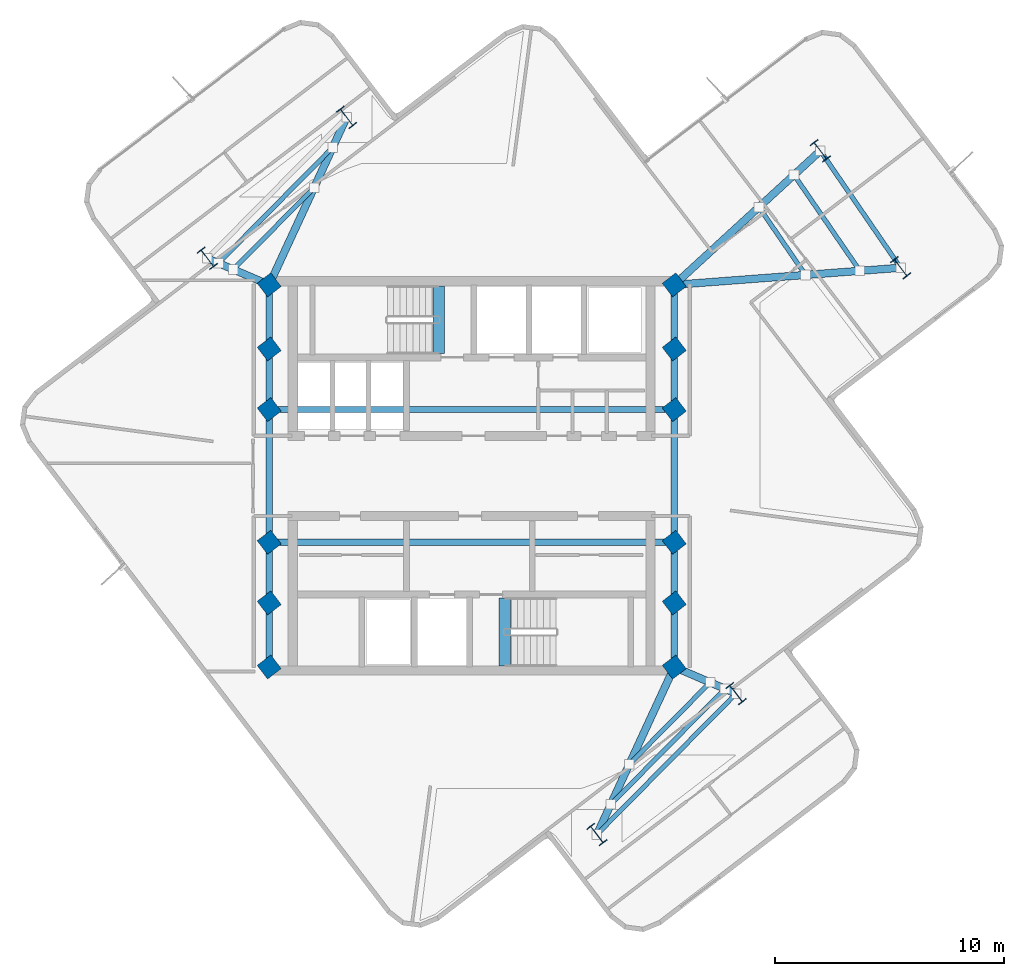
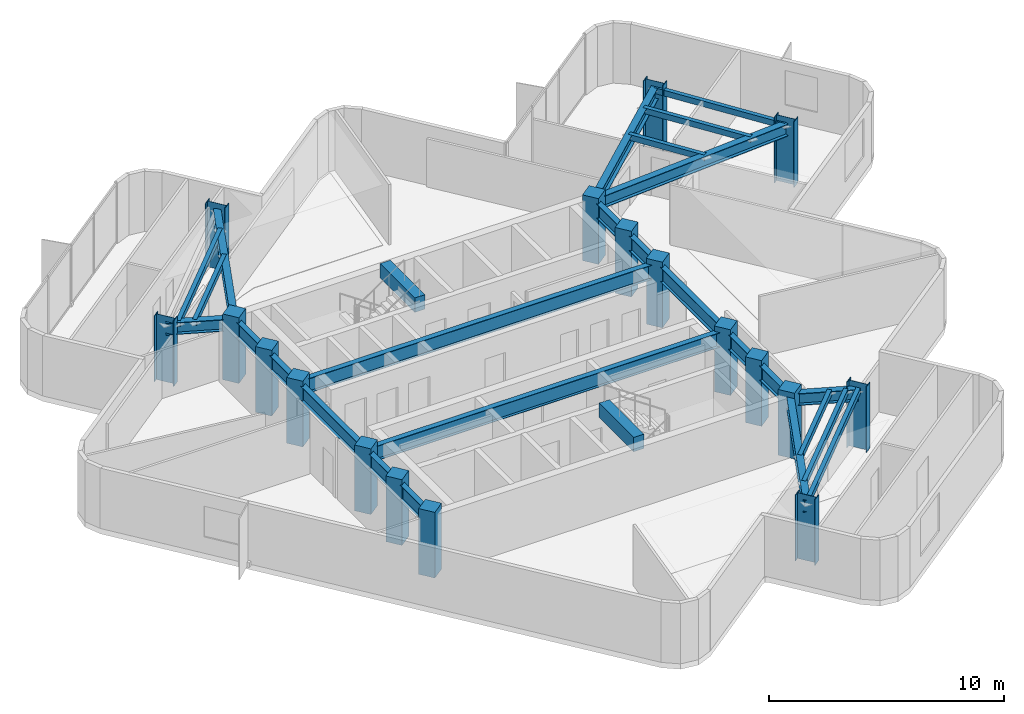
# One storey, part 1 of 8: 28 beams, 18 columns.
"""IFC4 building model written with IfcOpenShell, lengths in metres."""

from ifc_helpers import new_model, si_unit, direction, frame, origin, origin_2d, place, context, subcontext, project, spatial, rectangle, hollow_rectangle, i_section, extrude, material, material_profile, profile_set, type_object, element, save


model = new_model("IFC4")

# Units and contexts
model_context = context("Model", 3, precision=1e-05, world=origin(), true_north=direction((0.0, 1.0)))
body_context = subcontext(model_context, "Body", "Model", "MODEL_VIEW")
ifc_project = project(units=[si_unit("LENGTHUNIT", "METRE"), si_unit("AREAUNIT", "SQUARE_METRE"), si_unit("VOLUMEUNIT", "CUBIC_METRE"), si_unit("PLANEANGLEUNIT", "RADIAN"), si_unit("MASSUNIT", "GRAM", prefix="KILO")], contexts=[model_context])

# Site, building, storey
site_placement = place(None, origin())
site = spatial("IfcSite", under=ifc_project, at=site_placement, CompositionType="ELEMENT")
building_placement = place(site_placement, origin())
building = spatial("IfcBuilding", under=site, at=building_placement, Name="Solmarez Civic Tower", CompositionType="ELEMENT")
storey_placement = place(building_placement, frame((0.0, 0.0, 232.56005859375)))
storey = spatial("IfcBuildingStorey", under=building, at=storey_placement, Name="L62", CompositionType="ELEMENT", Elevation=232.56005859375)

# Columns
ifc_material_1 = material(Name="Concrete C50/60", Category="concrete")
ifc_material_profile_1 = material_profile(ifc_material_1, rectangle(XDim=0.75, YDim=0.75, at=origin_2d()), Name="RC750X750")
ifc_profile_set_1 = profile_set([ifc_material_profile_1], Name="Concrete C50/60")
column_type_1 = type_object("IfcColumnType", Name="COL-RC750", PredefinedType="COLUMN", material=ifc_profile_set_1)
for number, where, z_axis, x_axis, name in (
    (1, (-8.85009765625, -5.550048828125, 0.0), (0.0, 0.0, 1.0), (0.794414620535, 0.607375839723, 0.0), "L62 Structural Column HC1"),
    (2, (-8.85009765625, -2.89990234375, 0.0), (0.0, 0.0, 1.0), (0.794414620535, 0.607375839723, 0.0), "L62 Structural Column HC2"),
    (3, (-8.85009765625, 2.89990234375, 0.0), (0.0, 0.0, 1.0), (0.794414620535, 0.607375839723, 0.0), "L62 Structural Column HC3"),
    (4, (-8.85009765625, 5.550048828125, 0.0), (0.0, 0.0, 1.0), (0.794414620535, 0.607375839723, 0.0), "L62 Structural Column HC4"),
    (5, (8.85009765625, -5.550048828125, 0.0), (0.0, 0.0, 1.0), (0.794414620535, 0.607375839723, 0.0), "L62 Structural Column HC5"),
    (6, (8.85009765625, -2.89990234375, 0.0), (0.0, 0.0, 1.0), (0.794414620535, 0.607375839723, 0.0), "L62 Structural Column HC6"),
    (7, (8.85009765625, 2.89990234375, 0.0), (0.0, 0.0, 1.0), (0.794414620535, 0.607375839723, 0.0), "L62 Structural Column HC7"),
    (8, (8.85009765625, 5.550048828125, 0.0), (0.0, 0.0, 1.0), (0.794414620535, 0.607375839723, 0.0), "L62 Structural Column HC8"),
    (9, (-8.85009765625, 8.35009765625, 0.0), (0.0, 0.0, 1.0), (0.794414620535, 0.607375839723, 0.0), "L62 Structural Column HC9"),
    (10, (8.85009765625, -8.35009765625, 0.0), (0.0, 0.0, 1.0), (0.794414620535, 0.607375839723, 0.0), "L62 Structural Column HC10"),
    (11, (8.85009765625, 8.35009765625, 0.0), (0.0, 0.0, 1.0), (0.794414620535, 0.607375839723, 0.0), "L62 Structural Column HC11"),
    (12, (-8.85009765625, -8.35009765625, 0.0), (0.0, 0.0, 1.0), (0.794414620535, 0.607375839723, 0.0), "L62 Structural Column HC12"),
):
    element("IfcColumn", number, at=place(storey_placement, frame(where, z_axis=z_axis, x_axis=x_axis)), inside=storey, type_object=column_type_1, Name=name, PredefinedType="COLUMN", context=body_context, shape_type="SweptSolid", body=[
        extrude(rectangle(XDim=0.75, YDim=0.75, at=origin_2d()), origin(), (0.0, 0.0, 1.0), 3.419921875),
    ])
ifc_material_2 = material(Name="Steel S355", Category="steel")
ifc_material_profile_2 = material_profile(ifc_material_2, i_section(OverallWidth=0.41796875, OverallDepth=0.927001953125, WebThickness=0.019287109375, FlangeThickness=0.031982421875, at=origin_2d()), Name="W36X231")
ifc_profile_set_2 = profile_set([ifc_material_profile_2], Name="Steel S355")
column_type_2 = type_object("IfcColumnType", Name="COL-W36X231", PredefinedType="COLUMN", material=ifc_profile_set_2)
for number, where, z_axis, x_axis, name in (
    (13, (18.740966796875, 9.096923828125, 0.0), (0.0, 0.0, 1.0), (0.794414620535, 0.607375839723, 0.0), "L62 Structural Column EA11"),
    (14, (15.23388671875, 14.208984375, 0.0), (0.0, 0.0, 1.0), (0.794414620535, 0.607375839723, 0.0), "L62 Structural Column EA12"),
    (15, (-5.468017578125, 15.6708984375, 0.0), (0.0, 0.0, 1.0), (0.794414620535, 0.607375839723, 0.0), "L62 Structural Column NA11"),
    (16, (-11.553955078125, 9.510009765625, 0.0), (0.0, 0.0, 1.0), (0.794414620535, 0.607375839723, 0.0), "L62 Structural Column NA12"),
    (17, (5.468017578125, -15.6708984375, 0.0), (0.0, 0.0, 1.0), (0.794414620535, 0.607375839723, 0.0), "L62 Structural Column SA11"),
    (18, (11.553955078125, -9.510009765625, 0.0), (0.0, 0.0, 1.0), (0.794414620535, 0.607375839723, 0.0), "L62 Structural Column SA12"),
):
    element("IfcColumn", number, at=place(storey_placement, frame(where, z_axis=z_axis, x_axis=x_axis)), inside=storey, type_object=column_type_2, Name=name, PredefinedType="COLUMN", context=body_context, shape_type="SweptSolid", body=[
        extrude(i_section(OverallWidth=0.41796875, OverallDepth=0.927001953125, WebThickness=0.019287109375, FlangeThickness=0.031982421875, at=origin_2d()), origin(), (0.0, 0.0, 1.0), 3.419921875),
    ])

# Beams
ifc_material_profile_3 = material_profile(ifc_material_2, hollow_rectangle(XDim=0.199951171875, YDim=0.300048828125, WallThickness=0.011962890625, at=origin_2d()), Name="HSS300X200X12")
ifc_profile_set_3 = profile_set([ifc_material_profile_3], Name="Steel S355")
beam_type_1 = type_object("IfcBeamType", Name="BM-JS-HSS300X200", PredefinedType="JOIST", material=ifc_profile_set_3)
beam_1_placement = place(storey_placement, frame((18.740966796875, 9.096923828125, 2.989990234375), z_axis=(-0.565711253315, 0.824603406416, 0.0), x_axis=(-0.824603406416, -0.565711253315, 0.0)))
element("IfcBeam", 19, at=beam_1_placement, inside=storey, type_object=beam_type_1, Name="L62 Secondary Floor Joist BM-L62-EA-T1", PredefinedType="JOIST", context=body_context, shape_type="SweptSolid", body=[
    extrude(hollow_rectangle(XDim=0.199951171875, YDim=0.300048828125, WallThickness=0.011962890625, at=origin_2d()), origin(), (0.0, 0.0, 1.0), 6.199462890625),
])
beam_2_placement = place(storey_placement, frame((14.5869140625, 8.782958984375, 2.989990234375), z_axis=(-0.565666897805, 0.824633834334, 0.0), x_axis=(-0.824633834334, -0.565666897805, 0.0)))
element("IfcBeam", 20, at=beam_2_placement, inside=storey, type_object=beam_type_1, Name="L62 Secondary Floor Joist JS-L62-EA-M11", PredefinedType="JOIST", context=body_context, shape_type="SweptSolid", body=[
    extrude(hollow_rectangle(XDim=0.199951171875, YDim=0.300048828125, WallThickness=0.011962890625, at=origin_2d()), origin(), (0.0, 0.0, 1.0), 3.595703125),
])
beam_3_placement = place(storey_placement, frame((16.9609375, 8.962890625, 2.989990234375), z_axis=(-0.565800880521, 0.824541911367, 0.0), x_axis=(-0.824541911367, -0.565800880521, 0.0)))
element("IfcBeam", 21, at=beam_3_placement, inside=storey, type_object=beam_type_1, Name="L62 Secondary Floor Joist JS-L62-EA-M12", PredefinedType="JOIST", context=body_context, shape_type="SweptSolid", body=[
    extrude(hollow_rectangle(XDim=0.199951171875, YDim=0.300048828125, WallThickness=0.011962890625, at=origin_2d()), origin(), (0.0, 0.0, 1.0), 5.0830078125),
])
beam_4_placement = place(storey_placement, frame((-6.887939453125, 12.595947265625, 2.989990234375), z_axis=(-0.702816380081, -0.711371306625, 0.0), x_axis=(0.711371306625, -0.702816380081, 0.0)))
element("IfcBeam", 22, at=beam_4_placement, inside=storey, type_object=beam_type_1, Name="L62 Secondary Floor Joist JS-L62-NA-M11", PredefinedType="JOIST", context=body_context, shape_type="SweptSolid", body=[
    extrude(hollow_rectangle(XDim=0.199951171875, YDim=0.300048828125, WallThickness=0.011962890625, at=origin_2d()), origin(), (0.0, 0.0, 1.0), 5.022705078125),
])
beam_5_placement = place(storey_placement, frame((-6.076904296875, 14.35302734375, 2.989990234375), z_axis=(-0.702726827997, -0.711459770622, 0.0), x_axis=(0.711459770622, -0.702726827997, 0.0)))
element("IfcBeam", 23, at=beam_5_placement, inside=storey, type_object=beam_type_1, Name="L62 Secondary Floor Joist JS-L62-NA-M12", PredefinedType="JOIST", context=body_context, shape_type="SweptSolid", body=[
    extrude(hollow_rectangle(XDim=0.199951171875, YDim=0.300048828125, WallThickness=0.011962890625, at=origin_2d()), origin(), (0.0, 0.0, 1.0), 7.100830078125),
])
beam_6_placement = place(storey_placement, frame((5.468017578125, -15.6708984375, 2.989990234375), z_axis=(0.702766092364, 0.711420986072, 0.0), x_axis=(-0.711420986072, 0.702766092364, 0.0)))
element("IfcBeam", 24, at=beam_6_placement, inside=storey, type_object=beam_type_1, Name="L62 Secondary Floor Joist BM-L62-SA-T1", PredefinedType="JOIST", context=body_context, shape_type="SweptSolid", body=[
    extrude(hollow_rectangle(XDim=0.199951171875, YDim=0.300048828125, WallThickness=0.011962890625, at=origin_2d()), origin(), (0.0, 0.0, 1.0), 8.659912109375),
])
beam_7_placement = place(storey_placement, frame((6.887939453125, -12.595947265625, 2.989990234375), z_axis=(0.702816380081, 0.711371306625, 0.0), x_axis=(-0.711371306625, 0.702816380081, 0.0)))
element("IfcBeam", 25, at=beam_7_placement, inside=storey, type_object=beam_type_1, Name="L62 Secondary Floor Joist JS-L62-SA-M11", PredefinedType="JOIST", context=body_context, shape_type="SweptSolid", body=[
    extrude(hollow_rectangle(XDim=0.199951171875, YDim=0.300048828125, WallThickness=0.011962890625, at=origin_2d()), origin(), (0.0, 0.0, 1.0), 5.022705078125),
])
beam_8_placement = place(storey_placement, frame((6.076904296875, -14.35302734375, 2.989990234375), z_axis=(0.702726827997, 0.711459770622, 0.0), x_axis=(-0.711459770622, 0.702726827997, 0.0)))
element("IfcBeam", 26, at=beam_8_placement, inside=storey, type_object=beam_type_1, Name="L62 Secondary Floor Joist JS-L62-SA-M12", PredefinedType="JOIST", context=body_context, shape_type="SweptSolid", body=[
    extrude(hollow_rectangle(XDim=0.199951171875, YDim=0.300048828125, WallThickness=0.011962890625, at=origin_2d()), origin(), (0.0, 0.0, 1.0), 7.100830078125),
])
ifc_material_profile_4 = material_profile(ifc_material_1, rectangle(XDim=0.5, YDim=0.75, at=origin_2d()), Name="RC500X750")
ifc_profile_set_4 = profile_set([ifc_material_profile_4], Name="Concrete C50/60")
beam_type_2 = type_object("IfcBeamType", Name="BM-PR-RC500X750", PredefinedType="BEAM", material=ifc_profile_set_4)
for number, where, z_axis, x_axis, name in (
    (27, (-1.449951171875, 5.340087890625, 3.052978515625), (0.0, 1.0, 0.0), (-1.0, 0.0, 0.0), "L62 North Stair Threshold Beam"),
    (28, (1.449951171875, -8.300048828125, 3.052978515625), (0.0, 1.0, 0.0), (-1.0, 0.0, 0.0), "L62 South Stair Threshold Beam"),
):
    element("IfcBeam", number, at=place(storey_placement, frame(where, z_axis=z_axis, x_axis=x_axis)), inside=storey, type_object=beam_type_2, Name=name, PredefinedType="BEAM", context=body_context, shape_type="SweptSolid", body=[
        extrude(rectangle(XDim=0.5, YDim=0.75, at=origin_2d()), origin(), (0.0, 0.0, 1.0), 2.9599609375),
    ])
ifc_material_profile_5 = material_profile(ifc_material_2, i_section(OverallWidth=0.327880859375, OverallDepth=0.6220703125, WebThickness=0.015380859375, FlangeThickness=0.0244140625, at=origin_2d()), Name="W24X131")
ifc_profile_set_5 = profile_set([ifc_material_profile_5], Name="Steel S355")
beam_type_3 = type_object("IfcBeamType", Name="BM-PR-W24X131", PredefinedType="BEAM", material=ifc_profile_set_5)
beam_9_placement = place(storey_placement, frame((8.85009765625, 8.35009765625, 2.828857421875), z_axis=(0.997161506076, 0.075292302399, 0.0), x_axis=(-0.075292302399, 0.997161506076, 0.0)))
element("IfcBeam", 29, at=beam_9_placement, inside=storey, type_object=beam_type_3, Name="L62 Primary Floor Beam BM-L62-EA-R1A", PredefinedType="BEAM", context=body_context, shape_type="SweptSolid", body=[
    extrude(i_section(OverallWidth=0.327880859375, OverallDepth=0.6220703125, WebThickness=0.015380859375, FlangeThickness=0.0244140625, at=origin_2d()), origin(), (0.0, 0.0, 1.0), 9.9189453125),
])
beam_10_placement = place(storey_placement, frame((8.85009765625, 8.35009765625, 2.828857421875), z_axis=(0.736746995662, 0.676168517741, 0.0), x_axis=(-0.676168517741, 0.736746995662, 0.0)))
element("IfcBeam", 30, at=beam_10_placement, inside=storey, type_object=beam_type_3, Name="L62 Primary Floor Beam BM-L62-EA-R1B", PredefinedType="BEAM", context=body_context, shape_type="SweptSolid", body=[
    extrude(i_section(OverallWidth=0.327880859375, OverallDepth=0.6220703125, WebThickness=0.015380859375, FlangeThickness=0.0244140625, at=origin_2d()), origin(), (0.0, 0.0, 1.0), 8.664794921875),
])
beam_11_placement = place(storey_placement, frame((-8.85009765625, 8.35009765625, 2.828857421875), z_axis=(0.419390280967, 0.907806032273, 0.0), x_axis=(-0.907806032273, 0.419390280967, 0.0)))
element("IfcBeam", 31, at=beam_11_placement, inside=storey, type_object=beam_type_3, Name="L62 Primary Floor Beam BM-L62-NA-R1A", PredefinedType="BEAM", context=body_context, shape_type="SweptSolid", body=[
    extrude(i_section(OverallWidth=0.327880859375, OverallDepth=0.6220703125, WebThickness=0.015380859375, FlangeThickness=0.0244140625, at=origin_2d()), origin(), (0.0, 0.0, 1.0), 8.064208984375),
])
beam_12_placement = place(storey_placement, frame((-8.85009765625, 8.35009765625, 2.828857421875), z_axis=(-0.919007627325, 0.394239750557, 0.0), x_axis=(-0.394239750557, -0.919007627325, 0.0)))
element("IfcBeam", 32, at=beam_12_placement, inside=storey, type_object=beam_type_3, Name="L62 Primary Floor Beam BM-L62-NA-R1B", PredefinedType="BEAM", context=body_context, shape_type="SweptSolid", body=[
    extrude(i_section(OverallWidth=0.327880859375, OverallDepth=0.6220703125, WebThickness=0.015380859375, FlangeThickness=0.0244140625, at=origin_2d()), origin(), (0.0, 0.0, 1.0), 2.942138671875),
])
beam_13_placement = place(storey_placement, frame((8.85009765625, -8.35009765625, 2.828857421875), z_axis=(-0.419390280967, -0.907806032273, 0.0), x_axis=(0.907806032273, -0.419390280967, 0.0)))
element("IfcBeam", 33, at=beam_13_placement, inside=storey, type_object=beam_type_3, Name="L62 Primary Floor Beam BM-L62-SA-R1A", PredefinedType="BEAM", context=body_context, shape_type="SweptSolid", body=[
    extrude(i_section(OverallWidth=0.327880859375, OverallDepth=0.6220703125, WebThickness=0.015380859375, FlangeThickness=0.0244140625, at=origin_2d()), origin(), (0.0, 0.0, 1.0), 8.064208984375),
])
beam_14_placement = place(storey_placement, frame((8.85009765625, -8.35009765625, 2.828857421875), z_axis=(0.919007627325, -0.394239750557, 0.0), x_axis=(0.394239750557, 0.919007627325, 0.0)))
element("IfcBeam", 34, at=beam_14_placement, inside=storey, type_object=beam_type_3, Name="L62 Primary Floor Beam BM-L62-SA-R1B", PredefinedType="BEAM", context=body_context, shape_type="SweptSolid", body=[
    extrude(i_section(OverallWidth=0.327880859375, OverallDepth=0.6220703125, WebThickness=0.015380859375, FlangeThickness=0.0244140625, at=origin_2d()), origin(), (0.0, 0.0, 1.0), 2.942138671875),
])
ifc_material_profile_6 = material_profile(ifc_material_2, i_section(OverallWidth=0.26708984375, OverallDepth=0.761962890625, WebThickness=0.014404296875, FlangeThickness=0.021484375, at=origin_2d()), Name="W30X116")
ifc_profile_set_6 = profile_set([ifc_material_profile_6], Name="Steel S355")
beam_type_4 = type_object("IfcBeamType", Name="BM-PR-W30X116", PredefinedType="BEAM", material=ifc_profile_set_6)
beam_15_placement = place(storey_placement, frame((-8.85009765625, -8.35009765625, 2.759033203125), z_axis=(0.0, 1.0, 0.0), x_axis=(-1.0, 0.0, 0.0)))
element("IfcBeam", 35, at=beam_15_placement, inside=storey, type_object=beam_type_4, Name="L62 Primary Floor Beam BM-L62-HC12-HC1", PredefinedType="BEAM", context=body_context, shape_type="SweptSolid", body=[
    extrude(i_section(OverallWidth=0.26708984375, OverallDepth=0.761962890625, WebThickness=0.014404296875, FlangeThickness=0.021484375, at=origin_2d()), origin(), (0.0, 0.0, 1.0), 2.800048828125),
])
beam_16_placement = place(storey_placement, frame((-8.85009765625, -5.550048828125, 2.759033203125), z_axis=(0.0, 1.0, 0.0), x_axis=(-1.0, 0.0, 0.0)))
element("IfcBeam", 36, at=beam_16_placement, inside=storey, type_object=beam_type_4, Name="L62 Primary Floor Beam BM-L62-HC1-HC2", PredefinedType="BEAM", context=body_context, shape_type="SweptSolid", body=[
    extrude(i_section(OverallWidth=0.26708984375, OverallDepth=0.761962890625, WebThickness=0.014404296875, FlangeThickness=0.021484375, at=origin_2d()), origin(), (0.0, 0.0, 1.0), 2.650146484375),
])
beam_17_placement = place(storey_placement, frame((-8.85009765625, -2.89990234375, 2.759033203125), z_axis=(0.0, 1.0, 0.0), x_axis=(-1.0, 0.0, 0.0)))
element("IfcBeam", 37, at=beam_17_placement, inside=storey, type_object=beam_type_4, Name="L62 Primary Floor Beam BM-L62-HC2-HC3", PredefinedType="BEAM", context=body_context, shape_type="SweptSolid", body=[
    extrude(i_section(OverallWidth=0.26708984375, OverallDepth=0.761962890625, WebThickness=0.014404296875, FlangeThickness=0.021484375, at=origin_2d()), origin(), (0.0, 0.0, 1.0), 5.7998046875),
])
beam_18_placement = place(storey_placement, frame((-8.85009765625, 2.89990234375, 2.759033203125), z_axis=(0.0, 1.0, 0.0), x_axis=(-1.0, 0.0, 0.0)))
element("IfcBeam", 38, at=beam_18_placement, inside=storey, type_object=beam_type_4, Name="L62 Primary Floor Beam BM-L62-HC3-HC4", PredefinedType="BEAM", context=body_context, shape_type="SweptSolid", body=[
    extrude(i_section(OverallWidth=0.26708984375, OverallDepth=0.761962890625, WebThickness=0.014404296875, FlangeThickness=0.021484375, at=origin_2d()), origin(), (0.0, 0.0, 1.0), 2.650146484375),
])
for number, where, z_axis, x_axis, name in (
    (39, (-8.85009765625, 5.550048828125, 2.759033203125), (0.0, 1.0, 0.0), (-1.0, 0.0, 0.0), "L62 Primary Floor Beam BM-L62-HC4-HC9"),
    (40, (8.85009765625, -8.35009765625, 2.759033203125), (0.0, 1.0, 0.0), (-1.0, 0.0, 0.0), "L62 Primary Floor Beam BM-L62-HC10-HC5"),
):
    element("IfcBeam", number, at=place(storey_placement, frame(where, z_axis=z_axis, x_axis=x_axis)), inside=storey, type_object=beam_type_4, Name=name, PredefinedType="BEAM", context=body_context, shape_type="SweptSolid", body=[
        extrude(i_section(OverallWidth=0.26708984375, OverallDepth=0.761962890625, WebThickness=0.014404296875, FlangeThickness=0.021484375, at=origin_2d()), origin(), (0.0, 0.0, 1.0), 2.800048828125),
    ])
beam_19_placement = place(storey_placement, frame((8.85009765625, -5.550048828125, 2.759033203125), z_axis=(0.0, 1.0, 0.0), x_axis=(-1.0, 0.0, 0.0)))
element("IfcBeam", 41, at=beam_19_placement, inside=storey, type_object=beam_type_4, Name="L62 Primary Floor Beam BM-L62-HC5-HC6", PredefinedType="BEAM", context=body_context, shape_type="SweptSolid", body=[
    extrude(i_section(OverallWidth=0.26708984375, OverallDepth=0.761962890625, WebThickness=0.014404296875, FlangeThickness=0.021484375, at=origin_2d()), origin(), (0.0, 0.0, 1.0), 2.650146484375),
])
beam_20_placement = place(storey_placement, frame((8.85009765625, -2.89990234375, 2.759033203125), z_axis=(0.0, 1.0, 0.0), x_axis=(-1.0, 0.0, 0.0)))
element("IfcBeam", 42, at=beam_20_placement, inside=storey, type_object=beam_type_4, Name="L62 Primary Floor Beam BM-L62-HC6-HC7", PredefinedType="BEAM", context=body_context, shape_type="SweptSolid", body=[
    extrude(i_section(OverallWidth=0.26708984375, OverallDepth=0.761962890625, WebThickness=0.014404296875, FlangeThickness=0.021484375, at=origin_2d()), origin(), (0.0, 0.0, 1.0), 5.7998046875),
])
beam_21_placement = place(storey_placement, frame((8.85009765625, 2.89990234375, 2.759033203125), z_axis=(0.0, 1.0, 0.0), x_axis=(-1.0, 0.0, 0.0)))
element("IfcBeam", 43, at=beam_21_placement, inside=storey, type_object=beam_type_4, Name="L62 Primary Floor Beam BM-L62-HC7-HC8", PredefinedType="BEAM", context=body_context, shape_type="SweptSolid", body=[
    extrude(i_section(OverallWidth=0.26708984375, OverallDepth=0.761962890625, WebThickness=0.014404296875, FlangeThickness=0.021484375, at=origin_2d()), origin(), (0.0, 0.0, 1.0), 2.650146484375),
])
beam_22_placement = place(storey_placement, frame((8.85009765625, 5.550048828125, 2.759033203125), z_axis=(0.0, 1.0, 0.0), x_axis=(-1.0, 0.0, 0.0)))
element("IfcBeam", 44, at=beam_22_placement, inside=storey, type_object=beam_type_4, Name="L62 Primary Floor Beam BM-L62-HC8-HC11", PredefinedType="BEAM", context=body_context, shape_type="SweptSolid", body=[
    extrude(i_section(OverallWidth=0.26708984375, OverallDepth=0.761962890625, WebThickness=0.014404296875, FlangeThickness=0.021484375, at=origin_2d()), origin(), (0.0, 0.0, 1.0), 2.800048828125),
])
for number, where, z_axis, x_axis, name in (
    (45, (-8.85009765625, -2.89990234375, 2.759033203125), (1.0, 0.0, 0.0), (0.0, 1.0, 0.0), "L62 Primary Floor Beam BM-L62-HC2-HC6"),
    (46, (-8.85009765625, 2.89990234375, 2.759033203125), (1.0, 0.0, 0.0), (0.0, 1.0, 0.0), "L62 Primary Floor Beam BM-L62-HC3-HC7"),
):
    element("IfcBeam", number, at=place(storey_placement, frame(where, z_axis=z_axis, x_axis=x_axis)), inside=storey, type_object=beam_type_4, Name=name, PredefinedType="BEAM", context=body_context, shape_type="SweptSolid", body=[
        extrude(i_section(OverallWidth=0.26708984375, OverallDepth=0.761962890625, WebThickness=0.014404296875, FlangeThickness=0.021484375, at=origin_2d()), origin(), (0.0, 0.0, 1.0), 17.7001953125),
    ])

save(model, "model.ifc")
